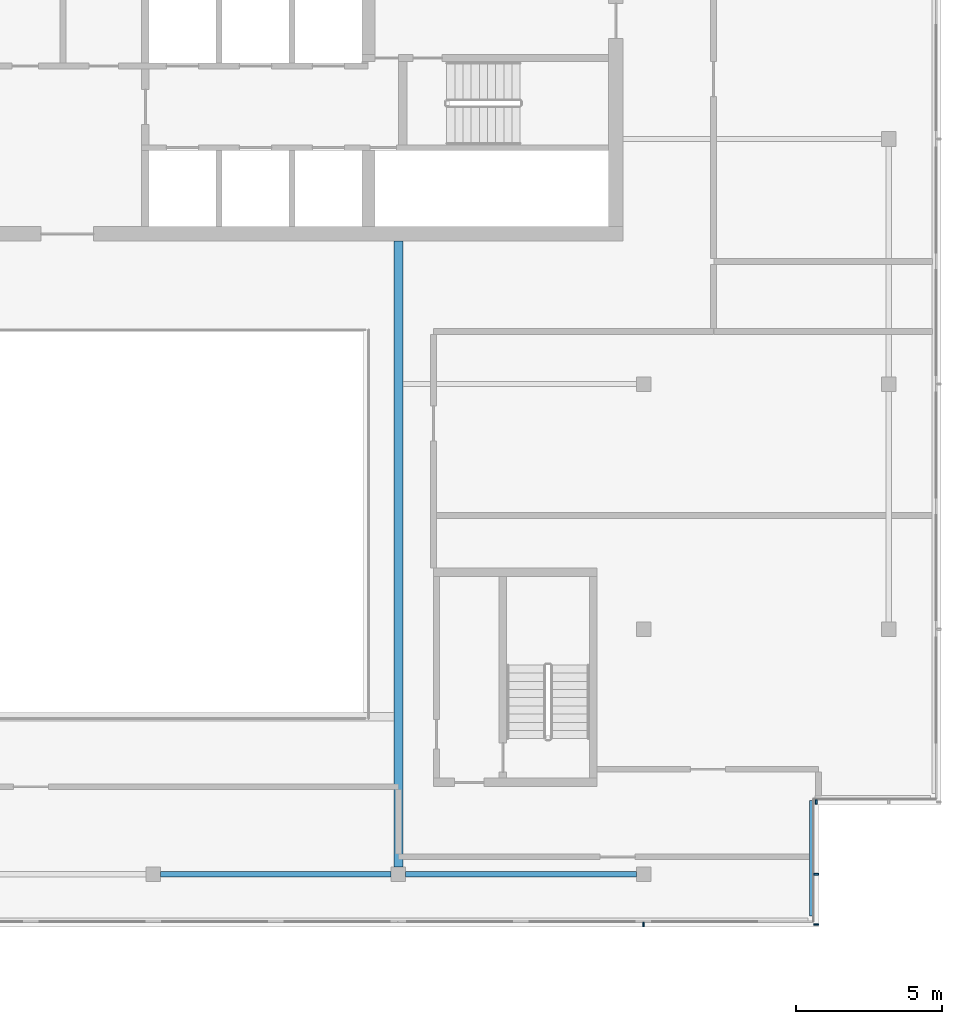
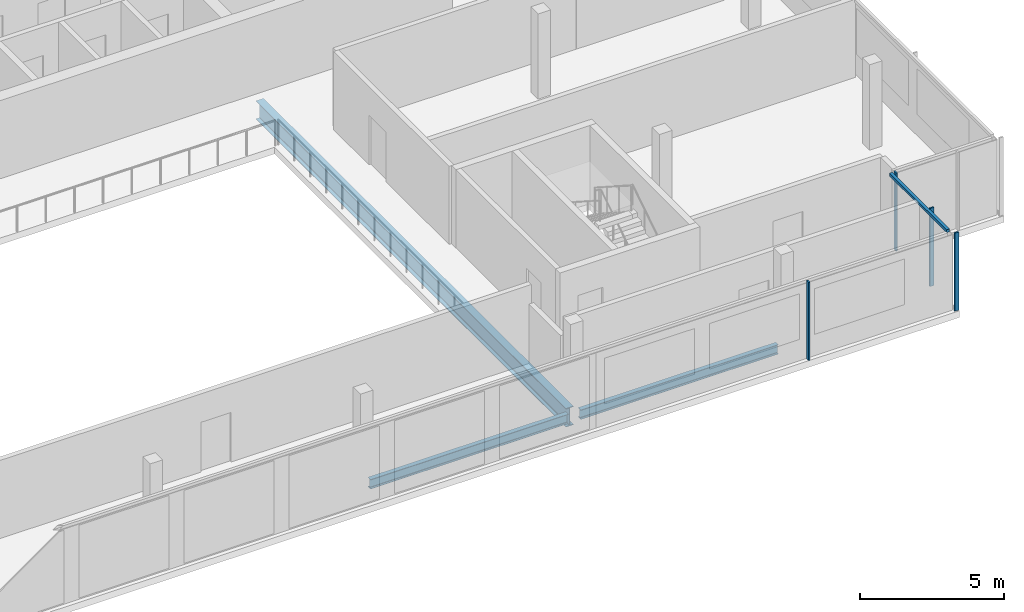
# One storey, part 5 of 19: 5 members, 3 beams, 3 elements without a shape of their own.
"""IFC4 building model written with IfcOpenShell, lengths in metres."""

from ifc_helpers import new_model, si_unit, direction, frame, origin, origin_2d, place, context, subcontext, project, spatial, rectangle, i_section, extrude, material, material_profile, profile_set, type_object, element, aggregate, save


model = new_model("IFC4")

# Units and contexts
model_context = context("Model", 3, precision=1e-05, world=origin(), true_north=direction((0.0, 1.0)))
body_context = subcontext(model_context, "Body", "Model", "MODEL_VIEW")
ifc_project = project(units=[si_unit("LENGTHUNIT", "METRE"), si_unit("AREAUNIT", "SQUARE_METRE"), si_unit("VOLUMEUNIT", "CUBIC_METRE"), si_unit("PLANEANGLEUNIT", "RADIAN"), si_unit("MASSUNIT", "GRAM", prefix="KILO")], contexts=[model_context])

# Site, building, storey
site_placement = place(None, origin())
site = spatial("IfcSite", under=ifc_project, at=site_placement, CompositionType="ELEMENT")
building_placement = place(site_placement, origin())
building = spatial("IfcBuilding", under=site, at=building_placement, Name="Saffron Gate Tower", CompositionType="ELEMENT")
storey_placement = place(building_placement, frame((0.0, 0.0, 306.75)))
storey = spatial("IfcBuildingStorey", under=building, at=storey_placement, Name="L75", CompositionType="ELEMENT", Elevation=306.75)

# Beams
ifc_material_1 = material(Name="Structural steel S355", Category="steel")
ifc_material_profile_1 = material_profile(ifc_material_1, i_section(OverallWidth=0.300048828125, OverallDepth=0.7900390625, WebThickness=0.014892578125, FlangeThickness=0.028076171875, FilletRadius=0.030029296875, at=origin_2d()))
ifc_profile_set_1 = profile_set([ifc_material_profile_1], Name="Structural steel S355")
beam_type_1 = type_object("IfcBeamType", Name="B18 HEA 800", PredefinedType="BEAM", material=ifc_profile_set_1)
beam_1_placement = place(storey_placement, frame((100.199951171875, 40.449951171875, -0.675048828125), z_axis=(0.0, 1.0, 0.0), x_axis=(-1.0, 0.0, 0.0)))
element("IfcBeam", 1, at=beam_1_placement, inside=storey, type_object=beam_type_1, Name="B18 ATRIUM GIRDER", PredefinedType="BEAM", context=body_context, shape_type="SweptSolid", body=[
    extrude(i_section(OverallWidth=0.300048828125, OverallDepth=0.7900390625, WebThickness=0.014892578125, FlangeThickness=0.028076171875, FilletRadius=0.030029296875, at=origin_2d()), origin(), (0.0, 0.0, 1.0), 21.449951171875),
])
ifc_material_profile_2 = material_profile(ifc_material_1, i_section(OverallWidth=0.179931640625, OverallDepth=0.39990234375, WebThickness=0.008544921875, FlangeThickness=0.013427734375, FilletRadius=0.02099609375, at=origin_2d()))
ifc_profile_set_2 = profile_set([ifc_material_profile_2], Name="Structural steel S355")
beam_type_2 = type_object("IfcBeamType", Name="B5 IPE 400", PredefinedType="SPANDREL", material=ifc_profile_set_2)
beam_2_placement = place(storey_placement, frame((92.050048828125, 40.199951171875, -0.47998046875), z_axis=(1.0, 0.0, 0.0), x_axis=(0.0, 1.0, 0.0)))
element("IfcBeam", 2, at=beam_2_placement, inside=storey, type_object=beam_type_2, Name="B5 SPANDREL BEAM", PredefinedType="SPANDREL", context=body_context, shape_type="SweptSolid", body=[
    extrude(i_section(OverallWidth=0.179931640625, OverallDepth=0.39990234375, WebThickness=0.008544921875, FlangeThickness=0.013427734375, FilletRadius=0.02099609375, at=origin_2d()), origin(), (0.0, 0.0, 1.0), 7.89990234375),
])
beam_3_placement = place(storey_placement, frame((100.449951171875, 40.199951171875, -0.47998046875), z_axis=(1.0, 0.0, 0.0), x_axis=(0.0, 1.0, 0.0)))
element("IfcBeam", 3, at=beam_3_placement, inside=storey, type_object=beam_type_2, Name="B5 SPANDREL BEAM", PredefinedType="SPANDREL", context=body_context, shape_type="SweptSolid", body=[
    extrude(i_section(OverallWidth=0.179931640625, OverallDepth=0.39990234375, WebThickness=0.008544921875, FlangeThickness=0.013427734375, FilletRadius=0.02099609375, at=origin_2d()), origin(), (0.0, 0.0, 1.0), 7.900146484375),
])

# Curtain wall, member
ifc_material_2 = material(Name="Aluminium, bronze anodised", Category="aluminium")
curtain_wall_type_1 = type_object("IfcCurtainWallType", Name="CWS1 curtain wall front facade", PredefinedType="NOTDEFINED", material=ifc_material_2)
curtain_wall_1_placement = place(storey_placement, origin())
curtain_wall_1 = element("IfcCurtainWall", 4, at=curtain_wall_1_placement, inside=storey, type_object=curtain_wall_type_1, Name="CWS1 run 1", PredefinedType="NOTDEFINED")
ifc_material_profile_3 = material_profile(ifc_material_2, rectangle(XDim=0.159912109375, YDim=0.06005859375, at=origin_2d()))
ifc_profile_set_3 = profile_set([ifc_material_profile_3], Name="Aluminium, bronze anodised")
member_type_1 = type_object("IfcMemberType", Name="CWS1 mullion 60x160", PredefinedType="MULLION", material=ifc_profile_set_3)
member_1_placement = place(storey_placement, frame((108.60009765625, 38.47998046875, 0.0), z_axis=(0.0, 0.0, 1.0), x_axis=(0.0, 1.0, 0.0)))
member_1 = element("IfcMember", 5, at=member_1_placement, type_object=member_type_1, Name="CWS1 mullion 7", PredefinedType="MULLION", context=body_context, shape_type="SweptSolid", body=[
    extrude(rectangle(XDim=0.159912109375, YDim=0.06005859375, at=origin_2d()), origin(), (0.0, 0.0, 1.0), 3.300048828125),
])
aggregate(curtain_wall_1, [member_1])

# Curtain wall, members
curtain_wall_type_2 = type_object("IfcCurtainWallType", Name="CWS4 curtain wall corner returns", PredefinedType="NOTDEFINED", material=ifc_material_2)
curtain_wall_2_placement = place(storey_placement, origin())
curtain_wall_2 = element("IfcCurtainWall", 6, at=curtain_wall_2_placement, inside=storey, type_object=curtain_wall_type_2, Name="CWS4 run 2", PredefinedType="NOTDEFINED")
ifc_material_profile_4 = material_profile(ifc_material_2, rectangle(XDim=0.1201171875, YDim=0.1201171875, at=origin_2d()))
ifc_profile_set_4 = profile_set([ifc_material_profile_4], Name="Aluminium, bronze anodised")
member_type_2 = type_object("IfcMemberType", Name="CWS4 head transom", PredefinedType="USERDEFINED", material=ifc_profile_set_4)
member_2_placement = place(storey_placement, frame((114.35205078125, 38.76806640625, 3.239990234375), z_axis=(0.0, 1.0, 0.0), x_axis=(-1.0, 0.0, 0.0)))
member_2 = element("IfcMember", 7, at=member_2_placement, type_object=member_type_2, Name="CWS4 head transom", ObjectType="TRANSOM", PredefinedType="USERDEFINED", context=body_context, shape_type="SweptSolid", body=[
    extrude(rectangle(XDim=0.1201171875, YDim=0.1201171875, at=origin_2d()), origin(), (0.0, 0.0, 1.0), 3.9599609375),
])
ifc_material_profile_5 = material_profile(ifc_material_2, rectangle(XDim=0.159912109375, YDim=0.06005859375, at=origin_2d()))
ifc_profile_set_5 = profile_set([ifc_material_profile_5], Name="Aluminium, bronze anodised")
member_type_3 = type_object("IfcMemberType", Name="CWS4 mullion 60x160", PredefinedType="MULLION", material=ifc_profile_set_5)
member_3_placement = place(storey_placement, frame((114.52001953125, 38.47998046875, 0.0), z_axis=(0.0, 0.0, 1.0), x_axis=(-1.0, 0.0, 0.0)))
member_3 = element("IfcMember", 8, at=member_3_placement, type_object=member_type_3, Name="CWS4 mullion 1", PredefinedType="MULLION", context=body_context, shape_type="SweptSolid", body=[
    extrude(rectangle(XDim=0.159912109375, YDim=0.06005859375, at=origin_2d()), origin(), (0.0, 0.0, 1.0), 3.300048828125),
])
member_4_placement = place(storey_placement, frame((114.52001953125, 40.199951171875, 0.0), z_axis=(0.0, 0.0, 1.0), x_axis=(-1.0, 0.0, 0.0)))
member_4 = element("IfcMember", 9, at=member_4_placement, type_object=member_type_3, Name="CWS4 mullion 2", PredefinedType="MULLION", context=body_context, shape_type="SweptSolid", body=[
    extrude(rectangle(XDim=0.159912109375, YDim=0.06005859375, at=origin_2d()), origin(), (0.0, 0.0, 1.0), 3.300048828125),
])
aggregate(curtain_wall_2, [member_3, member_4, member_2])

# Curtain wall, member
curtain_wall_3_placement = place(storey_placement, origin())
curtain_wall_3 = element("IfcCurtainWall", 10, at=curtain_wall_3_placement, inside=storey, type_object=curtain_wall_type_2, Name="CWS4 run 3", PredefinedType="NOTDEFINED")
member_5_placement = place(storey_placement, frame((114.52001953125, 42.679931640625, 0.0), z_axis=(0.0, 0.0, 1.0), x_axis=(0.0, 1.0, 0.0)))
member_5 = element("IfcMember", 11, at=member_5_placement, type_object=member_type_3, Name="CWS4 mullion 1", PredefinedType="MULLION", context=body_context, shape_type="SweptSolid", body=[
    extrude(rectangle(XDim=0.159912109375, YDim=0.06005859375, at=origin_2d()), origin(), (0.0, 0.0, 1.0), 3.300048828125),
])
aggregate(curtain_wall_3, [member_5])

save(model, "model.ifc")
